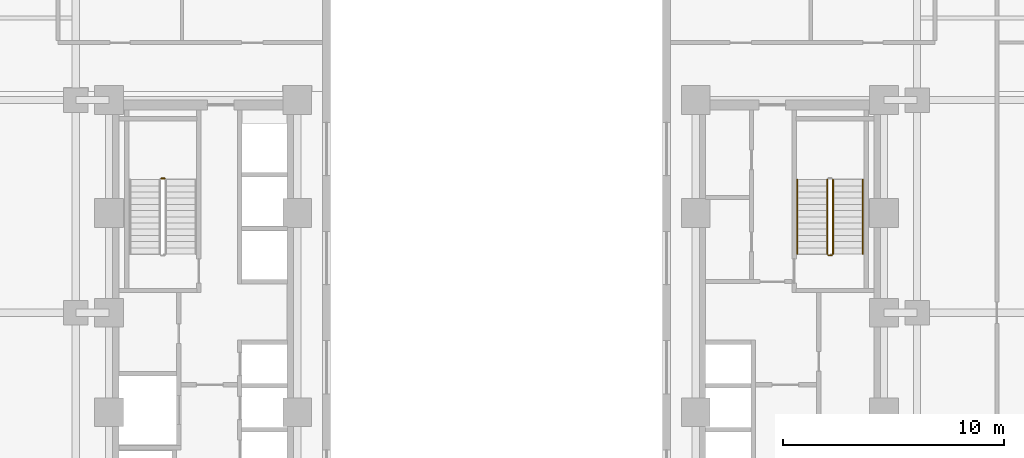
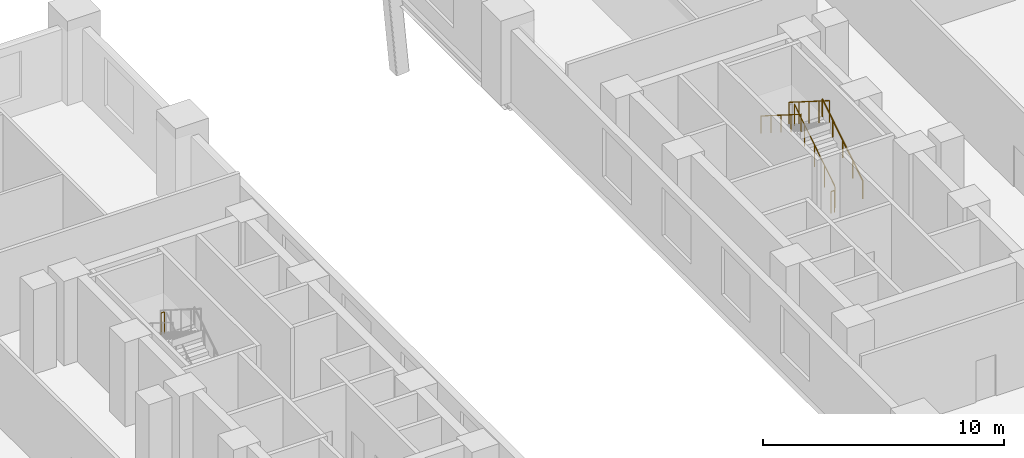
# One storey, part 13 of 15: 6 railings.
"""IFC4 building model written with IfcOpenShell, lengths in metres."""

from ifc_helpers import new_model, si_unit, direction, frame, origin, origin_2d, place, context, subcontext, project, spatial, circle, extrude, material, type_object, element, save


model = new_model("IFC4")

# Units and contexts
model_context = context("Model", 3, precision=1e-05, world=origin(), true_north=direction((0.0, 1.0)))
body_context = subcontext(model_context, "Body", "Model", "MODEL_VIEW")
ifc_project = project(units=[si_unit("LENGTHUNIT", "METRE"), si_unit("AREAUNIT", "SQUARE_METRE"), si_unit("VOLUMEUNIT", "CUBIC_METRE"), si_unit("PLANEANGLEUNIT", "RADIAN"), si_unit("MASSUNIT", "GRAM", prefix="KILO")], contexts=[model_context])

# Site, building, storey
site_placement = place(None, origin())
site = spatial("IfcSite", under=ifc_project, at=site_placement, CompositionType="ELEMENT")
building_placement = place(site_placement, origin())
building = spatial("IfcBuilding", under=site, at=building_placement, Name="Nuvemarco Arch Tower", CompositionType="ELEMENT")
storey_placement = place(building_placement, frame((0.0, 0.0, 4.60009765625)))
storey = spatial("IfcBuildingStorey", under=building, at=storey_placement, Name="L01", CompositionType="ELEMENT", Elevation=4.60009765625)

# Railings
ifc_material_1 = material(Name="Brushed stainless steel handrail", Category="steel")
railing_type_1 = type_object("IfcRailingType", Name="RL-HANDRAIL-900", PredefinedType="HANDRAIL", material=ifc_material_1)
railing_1_placement = place(storey_placement, frame((16.550048828125, 2.64990234375, 0.1767578125)))
element("IfcRailing", 1, at=railing_1_placement, inside=storey, type_object=railing_type_1, Name="L01 ST-2 stair handrail 1", PredefinedType="HANDRAIL", context=body_context, shape_type="SweptSolid", body=[
    extrude(circle(Radius=0.02392578125, at=origin_2d()), frame((0.0, 0.0, 0.8759765625), z_axis=(0.0, 0.845389635667, 0.534150132366), x_axis=(-1.0, 0.0, 0.0)), (0.0, 0.0, 1.0), 3.974609375),
    extrude(circle(Radius=0.02099609375, at=origin_2d()), origin(), (0.0, 0.0, 1.0), 0.851806640625),
    extrude(circle(Radius=0.02099609375, at=origin_2d()), frame((0.0, 0.840087890625, 0.53076171875)), (0.0, 0.0, 1.0), 0.851806640625),
    extrude(circle(Radius=0.02099609375, at=origin_2d()), frame((0.0, 1.68017578125, 1.0615234375)), (0.0, 0.0, 1.0), 0.851806640625),
    extrude(circle(Radius=0.02099609375, at=origin_2d()), frame((0.0, 2.52001953125, 1.59228515625)), (0.0, 0.0, 1.0), 0.851806640625),
    extrude(circle(Radius=0.02099609375, at=origin_2d()), frame((0.0, 3.360107421875, 2.123046875)), (0.0, 0.0, 1.0), 0.851806640625),
])
railing_2_placement = place(storey_placement, frame((13.590087890625, 6.010009765625, 2.476806640625)))
element("IfcRailing", 2, at=railing_2_placement, inside=storey, type_object=railing_type_1, Name="L01 ST-2 stair handrail 2", PredefinedType="HANDRAIL", context=body_context, shape_type="SweptSolid", body=[
    extrude(circle(Radius=0.02392578125, at=origin_2d()), frame((0.0, 0.0, 0.8759765625), z_axis=(0.0, -0.845389635667, 0.534150132366), x_axis=(1.0, 0.0, 0.0)), (0.0, 0.0, 1.0), 3.974609375),
    extrude(circle(Radius=0.02099609375, at=origin_2d()), origin(), (0.0, 0.0, 1.0), 0.851806640625),
    extrude(circle(Radius=0.02099609375, at=origin_2d()), frame((0.0, -0.840087890625, 0.53076171875)), (0.0, 0.0, 1.0), 0.851806640625),
    extrude(circle(Radius=0.02099609375, at=origin_2d()), frame((0.0, -1.68017578125, 1.0615234375)), (0.0, 0.0, 1.0), 0.851806640625),
    extrude(circle(Radius=0.02099609375, at=origin_2d()), frame((0.0, -2.52001953125, 1.59228515625)), (0.0, 0.0, 1.0), 0.851806640625),
    extrude(circle(Radius=0.02099609375, at=origin_2d()), frame((0.0, -3.360107421875, 2.123046875)), (0.0, 0.0, 1.0), 0.851806640625),
])
ifc_material_2 = material(Name="Painted balustrade steel S355", Category="steel")
railing_type_2 = type_object("IfcRailingType", Name="RL-STAIR-GUARD", PredefinedType="GUARDRAIL", material=ifc_material_2)
railing_3_placement = place(storey_placement, frame((-14.989990234375, 6.06005859375, 2.2998046875)))
element("IfcRailing", 3, at=railing_3_placement, inside=storey, type_object=railing_type_2, Name="L01 ST-1 stair guard 2", PredefinedType="GUARDRAIL", context=body_context, shape_type="SweptSolid", body=[
    extrude(circle(Radius=0.02392578125, at=origin_2d()), frame((0.0, 0.0, 1.09619140625), z_axis=(-1.0, 0.0, 0.0), x_axis=(0.0, -1.0, 0.0)), (0.0, 0.0, 1.0), 0.159912109375),
    extrude(circle(Radius=0.02099609375, at=origin_2d()), origin(), (0.0, 0.0, 1.0), 1.072021484375),
    extrude(circle(Radius=0.02099609375, at=origin_2d()), frame((-0.159912109375, 0.0, 0.0)), (0.0, 0.0, 1.0), 1.072021484375),
])
railing_4_placement = place(storey_placement, frame((15.199951171875, 2.64990234375, 0.1767578125)))
element("IfcRailing", 4, at=railing_4_placement, inside=storey, type_object=railing_type_2, Name="L01 ST-2 stair guard 1", PredefinedType="GUARDRAIL", context=body_context, shape_type="SweptSolid", body=[
    extrude(circle(Radius=0.02392578125, at=origin_2d()), frame((0.0, 0.0, 1.09619140625), z_axis=(0.0, 0.845389635667, 0.534150132366), x_axis=(-1.0, 0.0, 0.0)), (0.0, 0.0, 1.0), 3.974609375),
    extrude(circle(Radius=0.02099609375, at=origin_2d()), origin(), (0.0, 0.0, 1.0), 1.072021484375),
    extrude(circle(Radius=0.02099609375, at=origin_2d()), frame((0.0, 0.840087890625, 0.53076171875)), (0.0, 0.0, 1.0), 1.072021484375),
    extrude(circle(Radius=0.02099609375, at=origin_2d()), frame((0.0, 1.68017578125, 1.0615234375)), (0.0, 0.0, 1.0), 1.072021484375),
    extrude(circle(Radius=0.02099609375, at=origin_2d()), frame((0.0, 2.52001953125, 1.59228515625)), (0.0, 0.0, 1.0), 1.072021484375),
    extrude(circle(Radius=0.02099609375, at=origin_2d()), frame((0.0, 3.360107421875, 2.123046875)), (0.0, 0.0, 1.0), 1.072021484375),
])
railing_5_placement = place(storey_placement, frame((14.93994140625, 6.010009765625, 2.476806640625)))
element("IfcRailing", 5, at=railing_5_placement, inside=storey, type_object=railing_type_2, Name="L01 ST-2 stair guard 3", PredefinedType="GUARDRAIL", context=body_context, shape_type="SweptSolid", body=[
    extrude(circle(Radius=0.02392578125, at=origin_2d()), frame((0.0, 0.0, 1.09619140625), z_axis=(0.0, -0.845389635667, 0.534150132366), x_axis=(1.0, 0.0, 0.0)), (0.0, 0.0, 1.0), 3.974609375),
    extrude(circle(Radius=0.02099609375, at=origin_2d()), origin(), (0.0, 0.0, 1.0), 1.072021484375),
    extrude(circle(Radius=0.02099609375, at=origin_2d()), frame((0.0, -0.840087890625, 0.53076171875)), (0.0, 0.0, 1.0), 1.072021484375),
    extrude(circle(Radius=0.02099609375, at=origin_2d()), frame((0.0, -1.68017578125, 1.0615234375)), (0.0, 0.0, 1.0), 1.072021484375),
    extrude(circle(Radius=0.02099609375, at=origin_2d()), frame((0.0, -2.52001953125, 1.59228515625)), (0.0, 0.0, 1.0), 1.072021484375),
    extrude(circle(Radius=0.02099609375, at=origin_2d()), frame((0.0, -3.360107421875, 2.123046875)), (0.0, 0.0, 1.0), 1.072021484375),
])
railing_6_placement = place(storey_placement, frame((15.14990234375, 2.60009765625, 0.0)))
element("IfcRailing", 6, at=railing_6_placement, inside=storey, type_object=railing_type_2, Name="L01 ST-2 stair guard 4", PredefinedType="GUARDRAIL", context=body_context, shape_type="SweptSolid", body=[
    extrude(circle(Radius=0.02392578125, at=origin_2d()), frame((0.0, 0.0, 1.09619140625), z_axis=(-1.0, 0.0, 0.0), x_axis=(0.0, -1.0, 0.0)), (0.0, 0.0, 1.0), 0.159912109375),
    extrude(circle(Radius=0.02099609375, at=origin_2d()), origin(), (0.0, 0.0, 1.0), 1.072021484375),
    extrude(circle(Radius=0.02099609375, at=origin_2d()), frame((-0.159912109375, 0.0, 0.0)), (0.0, 0.0, 1.0), 1.072021484375),
])

save(model, "model.ifc")
